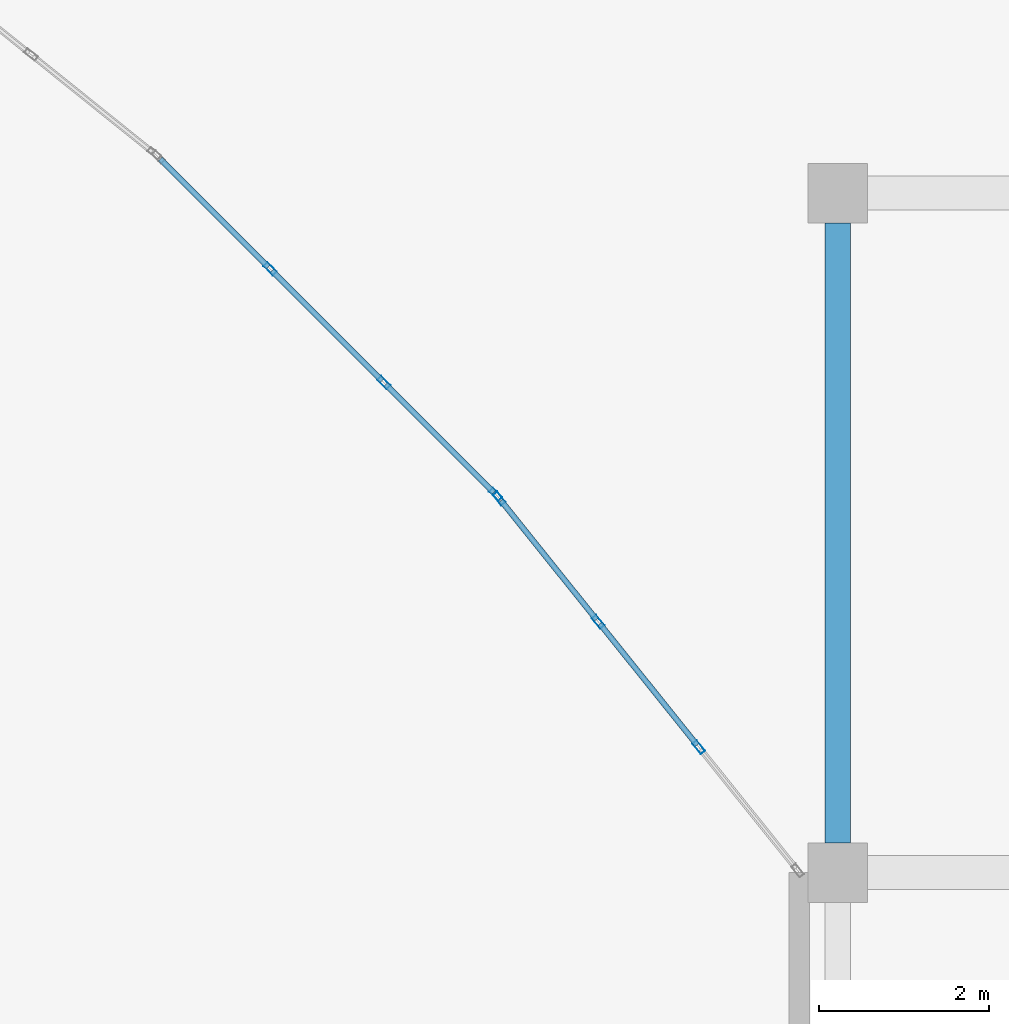
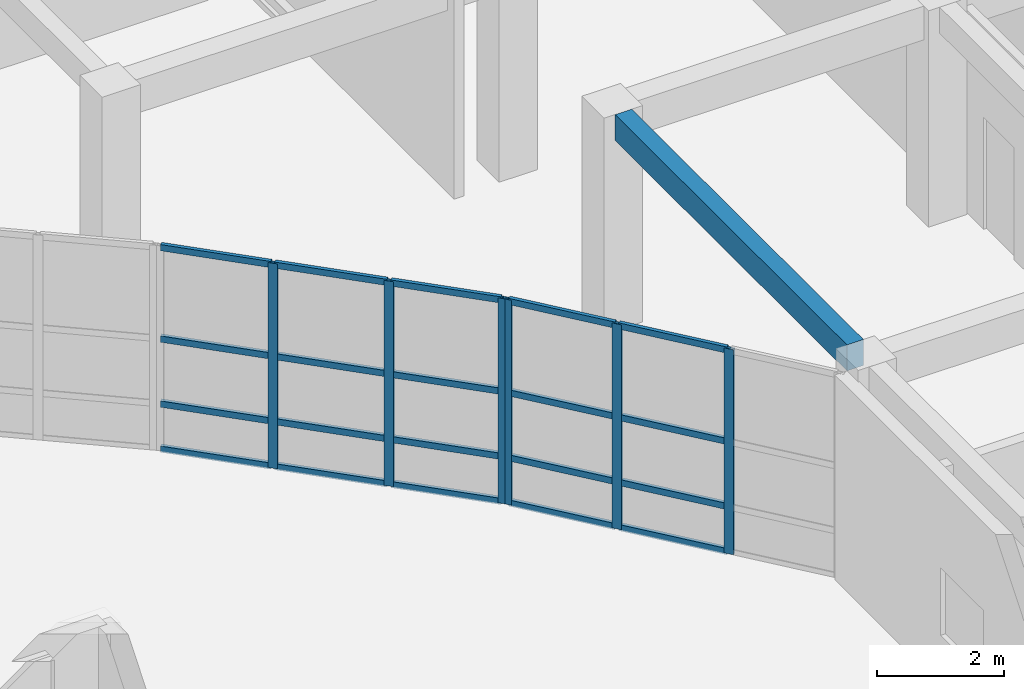
# One storey, part 55 of 114: 26 members, 1 beam, 2 elements without a shape of their own.
"""IFC4 building model written with IfcOpenShell, lengths in metres."""

from ifc_helpers import new_model, si_unit, direction, frame, origin, origin_2d, place, context, subcontext, project, spatial, rectangle, hollow_rectangle, extrude, material, layer, layer_set, material_profile, profile_set, type_object, element, aggregate, save


model = new_model("IFC4")

# Units and contexts
model_context = context("Model", 3, precision=1e-05, world=origin(), true_north=direction((0.0, 1.0)))
body_context = subcontext(model_context, "Body", "Model", "MODEL_VIEW")
ifc_project = project(units=[si_unit("LENGTHUNIT", "METRE"), si_unit("AREAUNIT", "SQUARE_METRE"), si_unit("VOLUMEUNIT", "CUBIC_METRE"), si_unit("PLANEANGLEUNIT", "RADIAN"), si_unit("MASSUNIT", "GRAM", prefix="KILO")], contexts=[model_context])

# Site, building, storey
site_placement = place(None, origin())
site = spatial("IfcSite", under=ifc_project, at=site_placement, CompositionType="ELEMENT")
building_placement = place(site_placement, origin())
building = spatial("IfcBuilding", under=site, at=building_placement, Name="Keldmere Railside Commons", CompositionType="ELEMENT")
storey_placement = place(building_placement, origin())
storey = spatial("IfcBuildingStorey", under=building, at=storey_placement, Name="L00", CompositionType="ELEMENT", Elevation=0.0)

# Beam
ifc_material_1 = material(Name="Concrete H-30 (C30/37)", Category="concrete")
ifc_material_profile_1 = material_profile(ifc_material_1, rectangle(XDim=0.300048828125, YDim=0.5, at=origin_2d()), Name="RC-300x500")
ifc_profile_set_1 = profile_set([ifc_material_profile_1], Name="Concrete H-30 (C30/37)")
beam_type = type_object("IfcBeamType", Name="Secondary Frame RC Beam 300x500", PredefinedType="BEAM", material=ifc_profile_set_1)
beam_placement = place(storey_placement, frame((168.449951171875, 88.35009765625, 3.909912109375), z_axis=(0.0, 1.0, 0.0), x_axis=(-1.0, 0.0, 0.0)))
element("IfcBeam", 1, at=beam_placement, inside=storey, type_object=beam_type, Name="BG-5 BM-L00-0657", PredefinedType="BEAM", context=body_context, shape_type="SweptSolid", body=[
    extrude(rectangle(XDim=0.300048828125, YDim=0.5, at=origin_2d()), origin(), (0.0, 0.0, 1.0), 7.2998046875),
])

# Curtain wall, members
ifc_material_2 = material(Name="Thermally Broken Aluminium", Category="aluminium")
ifc_layer_1 = layer(ifc_material_2, 0.159912109375, Name="Residential Ground Entrance Lobby CW 4000x3600")
ifc_layer_set_1 = layer_set([ifc_layer_1], Name="Thermally Broken Aluminium")
curtain_wall_type_1 = type_object("IfcCurtainWallType", Name="Residential Ground Entrance Lobby CW 4000x3600", PredefinedType="NOTDEFINED", material=ifc_layer_set_1)
curtain_wall_1_placement = place(storey_placement, origin())
curtain_wall_1 = element("IfcCurtainWall", 2, at=curtain_wall_1_placement, inside=storey, type_object=curtain_wall_type_1, Name="CW-10 CW-L00-158", PredefinedType="NOTDEFINED")
ifc_material_profile_2 = material_profile(ifc_material_2, hollow_rectangle(XDim=0.06494140625, YDim=0.159912109375, WallThickness=0.00390625, at=origin_2d()), Name="ALU-MULL-65x160")
ifc_profile_set_2 = profile_set([ifc_material_profile_2], Name="Thermally Broken Aluminium")
member_type_1 = type_object("IfcMemberType", Name="Unitised Curtain Wall Mullion 65x160", PredefinedType="MULLION", material=ifc_profile_set_2)
member_1_placement = place(storey_placement, frame((164.423095703125, 92.452880859375, 0.0), z_axis=(0.0, 0.0, 1.0), x_axis=(-0.707106781187, -0.707106781187, 0.0)))
member_1 = element("IfcMember", 3, at=member_1_placement, type_object=member_type_1, Name="CW-10 mullion 1", PredefinedType="MULLION", context=body_context, shape_type="SweptSolid", body=[
    extrude(hollow_rectangle(XDim=0.06494140625, YDim=0.159912109375, WallThickness=0.00390625, at=origin_2d()), origin(), (0.0, 0.0, 1.0), 3.93994140625),
])
member_2_placement = place(storey_placement, frame((163.107421875, 93.7685546875, 0.0), z_axis=(0.0, 0.0, 1.0), x_axis=(-0.707106781187, -0.707106781187, 0.0)))
member_2 = element("IfcMember", 4, at=member_2_placement, type_object=member_type_1, Name="CW-10 mullion 2", PredefinedType="MULLION", context=body_context, shape_type="SweptSolid", body=[
    extrude(hollow_rectangle(XDim=0.06494140625, YDim=0.159912109375, WallThickness=0.00390625, at=origin_2d()), origin(), (0.0, 0.0, 1.0), 3.93994140625),
])
member_3_placement = place(storey_placement, frame((161.7685546875, 95.107421875, 0.0), z_axis=(0.0, 0.0, 1.0), x_axis=(-0.707106781187, -0.707106781187, 0.0)))
member_3 = element("IfcMember", 5, at=member_3_placement, type_object=member_type_1, Name="CW-10 mullion 3", PredefinedType="MULLION", context=body_context, shape_type="SweptSolid", body=[
    extrude(hollow_rectangle(XDim=0.06494140625, YDim=0.159912109375, WallThickness=0.00390625, at=origin_2d()), origin(), (0.0, 0.0, 1.0), 3.93994140625),
])

ifc_layer_2 = layer(ifc_material_2, 0.159912109375, Name="Residential Lounge Frontage CW 4600x3600")
ifc_layer_set_2 = layer_set([ifc_layer_2], Name="Thermally Broken Aluminium")
curtain_wall_type_2 = type_object("IfcCurtainWallType", Name="Residential Lounge Frontage CW 4600x3600", PredefinedType="NOTDEFINED", material=ifc_layer_set_2)
curtain_wall_2_placement = place(storey_placement, origin())
curtain_wall_2 = element("IfcCurtainWall", 6, at=curtain_wall_2_placement, inside=storey, type_object=curtain_wall_type_2, Name="CW-11 CW-L00-159", PredefinedType="NOTDEFINED")
member_4_placement = place(storey_placement, frame((166.8154296875, 89.4765625, 0.0), z_axis=(0.0, 0.0, 1.0), x_axis=(-0.780009172323, -0.625768080915, 0.0)))
member_4 = element("IfcMember", 7, at=member_4_placement, type_object=member_type_1, Name="CW-11 mullion 2", PredefinedType="MULLION", context=body_context, shape_type="SweptSolid", body=[
    extrude(hollow_rectangle(XDim=0.06494140625, YDim=0.159912109375, WallThickness=0.00390625, at=origin_2d()), origin(), (0.0, 0.0, 1.0), 3.93994140625),
])
member_5_placement = place(storey_placement, frame((165.630615234375, 90.953369140625, 0.0), z_axis=(0.0, 0.0, 1.0), x_axis=(-0.780009172323, -0.625768080915, 0.0)))
member_5 = element("IfcMember", 8, at=member_5_placement, type_object=member_type_1, Name="CW-11 mullion 3", PredefinedType="MULLION", context=body_context, shape_type="SweptSolid", body=[
    extrude(hollow_rectangle(XDim=0.06494140625, YDim=0.159912109375, WallThickness=0.00390625, at=origin_2d()), origin(), (0.0, 0.0, 1.0), 3.93994140625),
])
member_6_placement = place(storey_placement, frame((164.46630859375, 92.404541015625, 0.0), z_axis=(0.0, 0.0, 1.0), x_axis=(-0.780009172323, -0.625768080915, 0.0)))
member_6 = element("IfcMember", 9, at=member_6_placement, type_object=member_type_1, Name="CW-11 mullion 4", PredefinedType="MULLION", context=body_context, shape_type="SweptSolid", body=[
    extrude(hollow_rectangle(XDim=0.06494140625, YDim=0.159912109375, WallThickness=0.00390625, at=origin_2d()), origin(), (0.0, 0.0, 1.0), 3.93994140625),
])

# Member
ifc_material_profile_3 = material_profile(ifc_material_2, hollow_rectangle(XDim=0.06494140625, YDim=0.1201171875, WallThickness=0.00390625, at=origin_2d()), Name="ALU-TRAN-65x120")
ifc_profile_set_3 = profile_set([ifc_material_profile_3], Name="Thermally Broken Aluminium")
member_type_2 = type_object("IfcMemberType", Name="Unitised Curtain Wall Transom 65x120", PredefinedType="USERDEFINED", material=ifc_profile_set_3)
member_7_placement = place(storey_placement, frame((164.400146484375, 92.47607421875, 0.032470703125), z_axis=(-0.707174762418, 0.707038793419, 0.0), x_axis=(-0.707038793419, -0.707174762418, 0.0)))
member_7 = element("IfcMember", 10, at=member_7_placement, type_object=member_type_2, Name="CW-10 transom 1.1", ObjectType="TRANSOM", PredefinedType="USERDEFINED", context=body_context, shape_type="SweptSolid", body=[
    extrude(hollow_rectangle(XDim=0.06494140625, YDim=0.1201171875, WallThickness=0.00390625, at=origin_2d()), origin(), (0.0, 0.0, 1.0), 1.795654296875),
])

member_8_placement = place(storey_placement, frame((164.400146484375, 92.47607421875, 0.89990234375), z_axis=(-0.707174762418, 0.707038793419, 0.0), x_axis=(-0.707038793419, -0.707174762418, 0.0)))
member_8 = element("IfcMember", 11, at=member_8_placement, type_object=member_type_2, Name="CW-10 transom 1.2", ObjectType="TRANSOM", PredefinedType="USERDEFINED", context=body_context, shape_type="SweptSolid", body=[
    extrude(hollow_rectangle(XDim=0.06494140625, YDim=0.1201171875, WallThickness=0.00390625, at=origin_2d()), origin(), (0.0, 0.0, 1.0), 1.795654296875),
])

member_9_placement = place(storey_placement, frame((164.400146484375, 92.47607421875, 2.14990234375), z_axis=(-0.707174762418, 0.707038793419, 0.0), x_axis=(-0.707038793419, -0.707174762418, 0.0)))
member_9 = element("IfcMember", 12, at=member_9_placement, type_object=member_type_2, Name="CW-10 transom 1.3", ObjectType="TRANSOM", PredefinedType="USERDEFINED", context=body_context, shape_type="SweptSolid", body=[
    extrude(hollow_rectangle(XDim=0.06494140625, YDim=0.1201171875, WallThickness=0.00390625, at=origin_2d()), origin(), (0.0, 0.0, 1.0), 1.795654296875),
])

member_10_placement = place(storey_placement, frame((164.400146484375, 92.47607421875, 3.907470703125), z_axis=(-0.707174762418, 0.707038793419, 0.0), x_axis=(-0.707038793419, -0.707174762418, 0.0)))
member_10 = element("IfcMember", 13, at=member_10_placement, type_object=member_type_2, Name="CW-10 transom 1.4", ObjectType="TRANSOM", PredefinedType="USERDEFINED", context=body_context, shape_type="SweptSolid", body=[
    extrude(hollow_rectangle(XDim=0.06494140625, YDim=0.1201171875, WallThickness=0.00390625, at=origin_2d()), origin(), (0.0, 0.0, 1.0), 1.795654296875),
])

member_11_placement = place(storey_placement, frame((163.08447265625, 93.791748046875, 0.032470703125), z_axis=(-0.707106781187, 0.707106781187, 0.0), x_axis=(-0.707106781187, -0.707106781187, 0.0)))
member_11 = element("IfcMember", 14, at=member_11_placement, type_object=member_type_2, Name="CW-10 transom 2.1", ObjectType="TRANSOM", PredefinedType="USERDEFINED", context=body_context, shape_type="SweptSolid", body=[
    extrude(hollow_rectangle(XDim=0.06494140625, YDim=0.1201171875, WallThickness=0.00390625, at=origin_2d()), origin(), (0.0, 0.0, 1.0), 1.828125),
])

member_12_placement = place(storey_placement, frame((163.08447265625, 93.791748046875, 0.89990234375), z_axis=(-0.707106781187, 0.707106781187, 0.0), x_axis=(-0.707106781187, -0.707106781187, 0.0)))
member_12 = element("IfcMember", 15, at=member_12_placement, type_object=member_type_2, Name="CW-10 transom 2.2", ObjectType="TRANSOM", PredefinedType="USERDEFINED", context=body_context, shape_type="SweptSolid", body=[
    extrude(hollow_rectangle(XDim=0.06494140625, YDim=0.1201171875, WallThickness=0.00390625, at=origin_2d()), origin(), (0.0, 0.0, 1.0), 1.828125),
])

member_13_placement = place(storey_placement, frame((163.08447265625, 93.791748046875, 2.14990234375), z_axis=(-0.707106781187, 0.707106781187, 0.0), x_axis=(-0.707106781187, -0.707106781187, 0.0)))
member_13 = element("IfcMember", 16, at=member_13_placement, type_object=member_type_2, Name="CW-10 transom 2.3", ObjectType="TRANSOM", PredefinedType="USERDEFINED", context=body_context, shape_type="SweptSolid", body=[
    extrude(hollow_rectangle(XDim=0.06494140625, YDim=0.1201171875, WallThickness=0.00390625, at=origin_2d()), origin(), (0.0, 0.0, 1.0), 1.828125),
])

member_14_placement = place(storey_placement, frame((163.08447265625, 93.791748046875, 3.907470703125), z_axis=(-0.707106781187, 0.707106781187, 0.0), x_axis=(-0.707106781187, -0.707106781187, 0.0)))
member_14 = element("IfcMember", 17, at=member_14_placement, type_object=member_type_2, Name="CW-10 transom 2.4", ObjectType="TRANSOM", PredefinedType="USERDEFINED", context=body_context, shape_type="SweptSolid", body=[
    extrude(hollow_rectangle(XDim=0.06494140625, YDim=0.1201171875, WallThickness=0.00390625, at=origin_2d()), origin(), (0.0, 0.0, 1.0), 1.828125),
])

member_15_placement = place(storey_placement, frame((161.74560546875, 95.13037109375, 0.032470703125), z_axis=(-0.707038793419, 0.707174762418, 0.0), x_axis=(-0.707174762418, -0.707038793419, 0.0)))
member_15 = element("IfcMember", 18, at=member_15_placement, type_object=member_type_2, Name="CW-10 transom 3.1", ObjectType="TRANSOM", PredefinedType="USERDEFINED", context=body_context, shape_type="SweptSolid", body=[
    extrude(hollow_rectangle(XDim=0.06494140625, YDim=0.1201171875, WallThickness=0.00390625, at=origin_2d()), origin(), (0.0, 0.0, 1.0), 1.795654296875),
])

member_16_placement = place(storey_placement, frame((161.74560546875, 95.13037109375, 0.89990234375), z_axis=(-0.707038793419, 0.707174762418, 0.0), x_axis=(-0.707174762418, -0.707038793419, 0.0)))
member_16 = element("IfcMember", 19, at=member_16_placement, type_object=member_type_2, Name="CW-10 transom 3.2", ObjectType="TRANSOM", PredefinedType="USERDEFINED", context=body_context, shape_type="SweptSolid", body=[
    extrude(hollow_rectangle(XDim=0.06494140625, YDim=0.1201171875, WallThickness=0.00390625, at=origin_2d()), origin(), (0.0, 0.0, 1.0), 1.795654296875),
])

member_17_placement = place(storey_placement, frame((161.74560546875, 95.13037109375, 2.14990234375), z_axis=(-0.707038793419, 0.707174762418, 0.0), x_axis=(-0.707174762418, -0.707038793419, 0.0)))
member_17 = element("IfcMember", 20, at=member_17_placement, type_object=member_type_2, Name="CW-10 transom 3.3", ObjectType="TRANSOM", PredefinedType="USERDEFINED", context=body_context, shape_type="SweptSolid", body=[
    extrude(hollow_rectangle(XDim=0.06494140625, YDim=0.1201171875, WallThickness=0.00390625, at=origin_2d()), origin(), (0.0, 0.0, 1.0), 1.795654296875),
])

member_18_placement = place(storey_placement, frame((161.74560546875, 95.13037109375, 3.907470703125), z_axis=(-0.707038793419, 0.707174762418, 0.0), x_axis=(-0.707174762418, -0.707038793419, 0.0)))
member_18 = element("IfcMember", 21, at=member_18_placement, type_object=member_type_2, Name="CW-10 transom 3.4", ObjectType="TRANSOM", PredefinedType="USERDEFINED", context=body_context, shape_type="SweptSolid", body=[
    extrude(hollow_rectangle(XDim=0.06494140625, YDim=0.1201171875, WallThickness=0.00390625, at=origin_2d()), origin(), (0.0, 0.0, 1.0), 1.795654296875),
])

aggregate(curtain_wall_1, [member_1, member_2, member_3, member_7, member_8, member_9, member_10, member_11, member_12, member_13, member_14, member_15, member_16, member_17, member_18])

member_19_placement = place(storey_placement, frame((166.794921875, 89.501953125, 0.032470703125), z_axis=(-0.625688033635, 0.78007338409, 0.0), x_axis=(-0.78007338409, -0.625688033635, 0.0)))
member_19 = element("IfcMember", 22, at=member_19_placement, type_object=member_type_2, Name="CW-11 transom 2.1", ObjectType="TRANSOM", PredefinedType="USERDEFINED", context=body_context, shape_type="SweptSolid", body=[
    extrude(hollow_rectangle(XDim=0.06494140625, YDim=0.1201171875, WallThickness=0.00390625, at=origin_2d()), origin(), (0.0, 0.0, 1.0), 1.828125),
])

member_20_placement = place(storey_placement, frame((166.794921875, 89.501953125, 0.89990234375), z_axis=(-0.625688033635, 0.78007338409, 0.0), x_axis=(-0.78007338409, -0.625688033635, 0.0)))
member_20 = element("IfcMember", 23, at=member_20_placement, type_object=member_type_2, Name="CW-11 transom 2.2", ObjectType="TRANSOM", PredefinedType="USERDEFINED", context=body_context, shape_type="SweptSolid", body=[
    extrude(hollow_rectangle(XDim=0.06494140625, YDim=0.1201171875, WallThickness=0.00390625, at=origin_2d()), origin(), (0.0, 0.0, 1.0), 1.828125),
])

member_21_placement = place(storey_placement, frame((166.794921875, 89.501953125, 2.14990234375), z_axis=(-0.625688033635, 0.78007338409, 0.0), x_axis=(-0.78007338409, -0.625688033635, 0.0)))
member_21 = element("IfcMember", 24, at=member_21_placement, type_object=member_type_2, Name="CW-11 transom 2.3", ObjectType="TRANSOM", PredefinedType="USERDEFINED", context=body_context, shape_type="SweptSolid", body=[
    extrude(hollow_rectangle(XDim=0.06494140625, YDim=0.1201171875, WallThickness=0.00390625, at=origin_2d()), origin(), (0.0, 0.0, 1.0), 1.828125),
])

member_22_placement = place(storey_placement, frame((166.794921875, 89.501953125, 3.907470703125), z_axis=(-0.625688033635, 0.78007338409, 0.0), x_axis=(-0.78007338409, -0.625688033635, 0.0)))
member_22 = element("IfcMember", 25, at=member_22_placement, type_object=member_type_2, Name="CW-11 transom 2.4", ObjectType="TRANSOM", PredefinedType="USERDEFINED", context=body_context, shape_type="SweptSolid", body=[
    extrude(hollow_rectangle(XDim=0.06494140625, YDim=0.1201171875, WallThickness=0.00390625, at=origin_2d()), origin(), (0.0, 0.0, 1.0), 1.828125),
])

member_23_placement = place(storey_placement, frame((165.6103515625, 90.978759765625, 0.032470703125), z_axis=(-0.625805275091, 0.779979331565, 0.0), x_axis=(-0.779979331565, -0.625805275091, 0.0)))
member_23 = element("IfcMember", 26, at=member_23_placement, type_object=member_type_2, Name="CW-11 transom 3.1", ObjectType="TRANSOM", PredefinedType="USERDEFINED", context=body_context, shape_type="SweptSolid", body=[
    extrude(hollow_rectangle(XDim=0.06494140625, YDim=0.1201171875, WallThickness=0.00390625, at=origin_2d()), origin(), (0.0, 0.0, 1.0), 1.795654296875),
])

member_24_placement = place(storey_placement, frame((165.6103515625, 90.978759765625, 0.89990234375), z_axis=(-0.625805275091, 0.779979331565, 0.0), x_axis=(-0.779979331565, -0.625805275091, 0.0)))
member_24 = element("IfcMember", 27, at=member_24_placement, type_object=member_type_2, Name="CW-11 transom 3.2", ObjectType="TRANSOM", PredefinedType="USERDEFINED", context=body_context, shape_type="SweptSolid", body=[
    extrude(hollow_rectangle(XDim=0.06494140625, YDim=0.1201171875, WallThickness=0.00390625, at=origin_2d()), origin(), (0.0, 0.0, 1.0), 1.795654296875),
])

member_25_placement = place(storey_placement, frame((165.6103515625, 90.978759765625, 2.14990234375), z_axis=(-0.625805275091, 0.779979331565, 0.0), x_axis=(-0.779979331565, -0.625805275091, 0.0)))
member_25 = element("IfcMember", 28, at=member_25_placement, type_object=member_type_2, Name="CW-11 transom 3.3", ObjectType="TRANSOM", PredefinedType="USERDEFINED", context=body_context, shape_type="SweptSolid", body=[
    extrude(hollow_rectangle(XDim=0.06494140625, YDim=0.1201171875, WallThickness=0.00390625, at=origin_2d()), origin(), (0.0, 0.0, 1.0), 1.795654296875),
])

member_26_placement = place(storey_placement, frame((165.6103515625, 90.978759765625, 3.907470703125), z_axis=(-0.625805275091, 0.779979331565, 0.0), x_axis=(-0.779979331565, -0.625805275091, 0.0)))
member_26 = element("IfcMember", 29, at=member_26_placement, type_object=member_type_2, Name="CW-11 transom 3.4", ObjectType="TRANSOM", PredefinedType="USERDEFINED", context=body_context, shape_type="SweptSolid", body=[
    extrude(hollow_rectangle(XDim=0.06494140625, YDim=0.1201171875, WallThickness=0.00390625, at=origin_2d()), origin(), (0.0, 0.0, 1.0), 1.795654296875),
])

aggregate(curtain_wall_2, [member_4, member_5, member_6, member_19, member_20, member_21, member_22, member_23, member_24, member_25, member_26])

save(model, "model.ifc")
